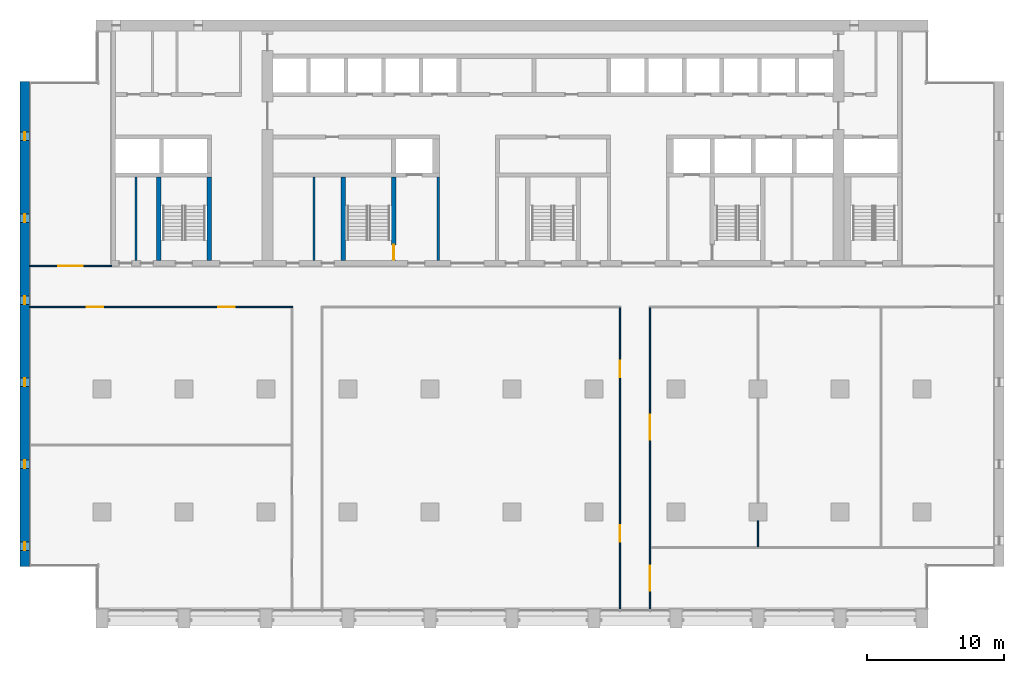
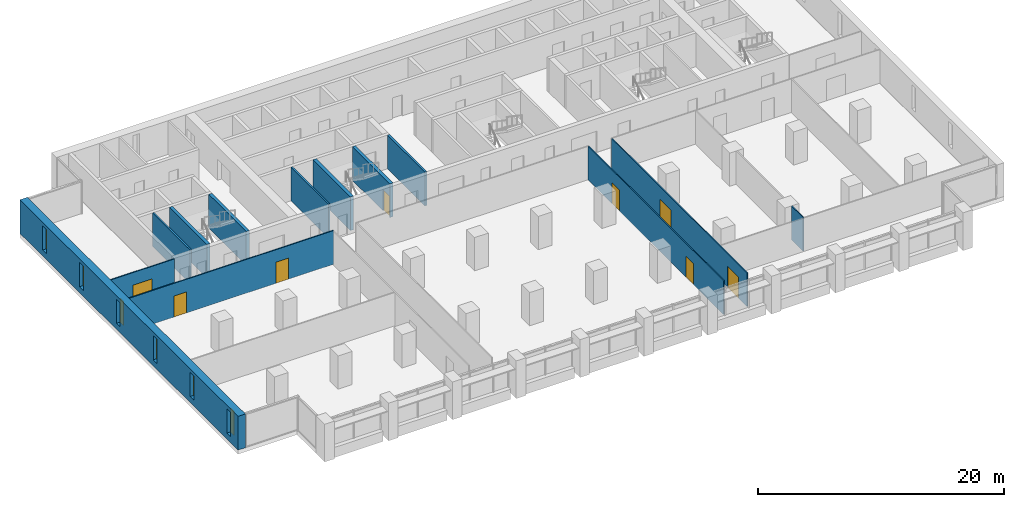
# One storey, part 8 of 15: 13 walls, 8 doors, 6 windows, 14 openings.
"""IFC4 building model written with IfcOpenShell, lengths in metres."""

from ifc_helpers import new_model, si_unit, direction, frame, frame_2d, origin, place, context, subcontext, project, spatial, rectangle, extrude, material, layer, layer_set, type_object, element, fill, save


model = new_model("IFC4")

# Units and contexts
model_context = context("Model", 3, precision=1e-05, world=origin(), true_north=direction((0.0, 1.0)))
body_context = subcontext(model_context, "Body", "Model", "MODEL_VIEW")
ifc_project = project(units=[si_unit("LENGTHUNIT", "METRE"), si_unit("AREAUNIT", "SQUARE_METRE"), si_unit("VOLUMEUNIT", "CUBIC_METRE"), si_unit("PLANEANGLEUNIT", "RADIAN"), si_unit("MASSUNIT", "GRAM", prefix="KILO")], contexts=[model_context])

# Site, building, storey
site_placement = place(None, origin())
site = spatial("IfcSite", under=ifc_project, at=site_placement, CompositionType="ELEMENT")
building_placement = place(site_placement, origin())
building = spatial("IfcBuilding", under=site, at=building_placement, Name="Calvaro Tower", CompositionType="ELEMENT")
storey_placement = place(building_placement, frame((0.0, 0.0, 132.5)))
storey = spatial("IfcBuildingStorey", under=building, at=storey_placement, Name="L33", CompositionType="ELEMENT", Elevation=132.5)

# Walls
ifc_material_1 = material(Name="Blockwork partition", Category="masonry")
ifc_layer_1 = layer(ifc_material_1, 0.14990234375)
ifc_layer_set_1 = layer_set([ifc_layer_1], Name="Blockwork partition")
wall_type_1 = type_object("IfcWallType", Name="Core partition 150 EI 60", PredefinedType="PARTITIONING", material=ifc_layer_set_1)
wall_1_placement = place(storey_placement, frame((8.5, 28.39990234375, 0.0), z_axis=(0.0, 0.0, 1.0), x_axis=(0.0, 1.0, 0.0)))
element("IfcWall", 1, at=wall_1_placement, inside=storey, type_object=wall_type_1, Name="Core partition", PredefinedType="PARTITIONING", context=body_context, shape_type="SweptSolid", body=[
    extrude(rectangle(XDim=6.10009765625, YDim=0.14990234375, at=frame_2d((3.050048828125, 0.0))), origin(), (0.0, 0.0, 1.0), 3.35009765625),
])
ifc_material_2 = material(Name="Blockwork partition", Category="masonry")
ifc_layer_2 = layer(ifc_material_2, 0.14990234375)
ifc_layer_set_2 = layer_set([ifc_layer_2], Name="Blockwork partition")
wall_type_2 = type_object("IfcWallType", Name="Core partition 150 REI 120", PredefinedType="PARTITIONING", material=ifc_layer_set_2)
wall_2_placement = place(storey_placement, frame((21.5, 28.39990234375, 0.0), z_axis=(0.0, 0.0, 1.0), x_axis=(0.0, 1.0, 0.0)))
element("IfcWall", 2, at=wall_2_placement, inside=storey, type_object=wall_type_2, Name="Core partition", PredefinedType="PARTITIONING", context=body_context, shape_type="SweptSolid", body=[
    extrude(rectangle(XDim=6.10009765625, YDim=0.14990234375, at=frame_2d((3.050048828125, 0.0))), origin(), (0.0, 0.0, 1.0), 3.35009765625),
])
ifc_material_3 = material(Name="Blockwork partition", Category="masonry")
ifc_layer_3 = layer(ifc_material_3, 0.199951171875)
ifc_layer_set_3 = layer_set([ifc_layer_3], Name="Blockwork partition")
wall_type_3 = type_object("IfcWallType", Name="Core partition 200 REI 120", PredefinedType="PARTITIONING", material=ifc_layer_set_3)
wall_3_placement = place(storey_placement, frame((30.60009765625, 28.39990234375, 0.0), z_axis=(0.0, 0.0, 1.0), x_axis=(0.0, 1.0, 0.0)))
element("IfcWall", 3, at=wall_3_placement, inside=storey, type_object=wall_type_3, Name="Core partition", PredefinedType="PARTITIONING", context=body_context, shape_type="SweptSolid", body=[
    extrude(rectangle(XDim=6.10009765625, YDim=0.199951171875, at=frame_2d((3.050048828125, 0.0))), origin(), (0.0, 0.0, 1.0), 3.35009765625),
])
ifc_material_4 = material(Name="Concrete C60/75", Category="concrete")
ifc_layer_4 = layer(ifc_material_4, 0.300048828125)
ifc_layer_set_4 = layer_set([ifc_layer_4], Name="Concrete C60/75")
wall_type_4 = type_object("IfcWallType", Name="Core wall C60/75 300", PredefinedType="SHEAR", material=ifc_layer_set_4)
for number, where, z_axis, x_axis, name in (
    (4, (10.14990234375, 28.39990234375, 0.0), (0.0, 0.0, 1.0), (0.0, 1.0, 0.0), "Core wall, stair enclosure"),
    (5, (13.85009765625, 28.39990234375, 0.0), (0.0, 0.0, 1.0), (0.0, 1.0, 0.0), "Core wall, stair enclosure"),
    (6, (23.64990234375, 28.39990234375, 0.0), (0.0, 0.0, 1.0), (0.0, 1.0, 0.0), "Core wall, stair enclosure"),
):
    element("IfcWall", number, at=place(storey_placement, frame(where, z_axis=z_axis, x_axis=x_axis)), inside=storey, type_object=wall_type_4, Name=name, PredefinedType="SHEAR", context=body_context, shape_type="SweptSolid", body=[
        extrude(rectangle(XDim=6.10009765625, YDim=0.300048828125, at=frame_2d((3.050048828125, 0.0))), origin(), (0.0, 0.0, 1.0), 3.35009765625),
    ])

# Wall, opening, door
wall_4_placement = place(storey_placement, frame((27.35009765625, 28.39990234375, 0.0), z_axis=(0.0, 0.0, 1.0), x_axis=(0.0, 1.0, 0.0)))
wall_4 = element("IfcWall", 7, at=wall_4_placement, inside=storey, type_object=wall_type_4, Name="Core wall, stair enclosure", PredefinedType="SHEAR", context=body_context, shape_type="SweptSolid", body=[
    extrude(rectangle(XDim=6.10009765625, YDim=0.300048828125, at=frame_2d((3.050048828125, 0.0))), origin(), (0.0, 0.0, 1.0), 3.35009765625),
])
opening_1_placement = place(wall_4_placement, frame((0.050048828125, 0.0, 0.0)))
opening_1 = element("IfcOpeningElement", 8, at=opening_1_placement, cuts=wall_4, Name="Opening FD11D", PredefinedType="OPENING", context=body_context, shape_type="SweptSolid", body=[
    extrude(rectangle(XDim=1.10009765625, YDim=2.10009765625, at=frame_2d((0.550048828125, 1.050048828125))), frame((0.0, 0.159912109375, 0.0), z_axis=(0.0, -1.0, 0.0), x_axis=(1.0, 0.0, 0.0)), (0.0, 0.0, 1.0), 0.320068359375),
])
ifc_material_5 = material(Name="Steel door set", Category="steel")
door_type_1 = type_object("IfcDoorType", Name="Fire door 1100 FD30S", OperationType="SINGLE_SWING_LEFT", PredefinedType="DOOR", material=ifc_material_5)
door_1_placement = place(opening_1_placement, origin())
door_1 = element("IfcDoor", 9, at=door_1_placement, inside=storey, type_object=door_type_1, Name="Fire door", OperationType="SINGLE_SWING_LEFT", OverallHeight=2.10009765625, OverallWidth=1.10009765625, PredefinedType="DOOR", context=body_context, shape_type="SweptSolid", body=[
    extrude(rectangle(XDim=1.10009765625, YDim=2.10009765625, at=frame_2d((0.550048828125, 1.050048828125))), frame((0.0, 0.02490234375, 0.0), z_axis=(0.0, -1.0, 0.0), x_axis=(1.0, 0.0, 0.0)), (0.0, 0.0, 1.0), 0.050048828125),
])
fill(opening_1, door_1)

# Wall, openings, windows
ifc_material_6 = material(Name="Concrete C60/75", Category="concrete")
ifc_layer_5 = layer(ifc_material_6, 0.699951171875)
ifc_layer_set_5 = layer_set([ifc_layer_5], Name="Concrete C60/75")
wall_type_5 = type_object("IfcWallType", Name="End wall 700 C60/75", PredefinedType="SHEAR", material=ifc_layer_set_5)
wall_5_placement = place(storey_placement, frame((0.35009765625, 6.0, 0.0), z_axis=(0.0, 0.0, 1.0), x_axis=(0.0, 1.0, 0.0)))
wall_5 = element("IfcWall", 10, at=wall_5_placement, inside=storey, type_object=wall_type_5, Name="End shear wall", PredefinedType="SHEAR", context=body_context, shape_type="SweptSolid", body=[
    extrude(rectangle(XDim=35.5, YDim=0.699951171875, at=frame_2d((17.75, 0.0))), origin(), (0.0, 0.0, 1.0), 3.35009765625),
])
opening_2_placement = place(wall_5_placement, frame((1.199951171875, 0.0, 0.60009765625)))
opening_2 = element("IfcOpeningElement", 11, at=opening_2_placement, cuts=wall_5, Name="Opening WW01", PredefinedType="OPENING", context=body_context, shape_type="SweptSolid", body=[
    extrude(rectangle(XDim=0.60009765625, YDim=2.39990234375, at=frame_2d((0.300048828125, 1.199951171875))), frame((0.0, 0.35986328125, 0.0), z_axis=(0.0, -1.0, 0.0), x_axis=(1.0, 0.0, 0.0)), (0.0, 0.0, 1.0), 0.719970703125),
])
opening_3_placement = place(wall_5_placement, frame((7.199951171875, 0.0, 0.60009765625)))
opening_3 = element("IfcOpeningElement", 12, at=opening_3_placement, cuts=wall_5, Name="Opening WW02", PredefinedType="OPENING", context=body_context, shape_type="SweptSolid", body=[
    extrude(rectangle(XDim=0.60009765625, YDim=2.39990234375, at=frame_2d((0.300048828125, 1.199951171875))), frame((0.0, 0.35986328125, 0.0), z_axis=(0.0, -1.0, 0.0), x_axis=(1.0, 0.0, 0.0)), (0.0, 0.0, 1.0), 0.719970703125),
])
opening_4_placement = place(wall_5_placement, frame((13.199951171875, 0.0, 0.60009765625)))
opening_4 = element("IfcOpeningElement", 13, at=opening_4_placement, cuts=wall_5, Name="Opening WW03", PredefinedType="OPENING", context=body_context, shape_type="SweptSolid", body=[
    extrude(rectangle(XDim=0.60009765625, YDim=2.39990234375, at=frame_2d((0.300048828125, 1.199951171875))), frame((0.0, 0.35986328125, 0.0), z_axis=(0.0, -1.0, 0.0), x_axis=(1.0, 0.0, 0.0)), (0.0, 0.0, 1.0), 0.719970703125),
])
opening_5_placement = place(wall_5_placement, frame((19.199951171875, 0.0, 0.60009765625)))
opening_5 = element("IfcOpeningElement", 14, at=opening_5_placement, cuts=wall_5, Name="Opening WW04", PredefinedType="OPENING", context=body_context, shape_type="SweptSolid", body=[
    extrude(rectangle(XDim=0.60009765625, YDim=2.39990234375, at=frame_2d((0.300048828125, 1.199951171875))), frame((0.0, 0.35986328125, 0.0), z_axis=(0.0, -1.0, 0.0), x_axis=(1.0, 0.0, 0.0)), (0.0, 0.0, 1.0), 0.719970703125),
])
opening_6_placement = place(wall_5_placement, frame((25.199951171875, 0.0, 0.60009765625)))
opening_6 = element("IfcOpeningElement", 15, at=opening_6_placement, cuts=wall_5, Name="Opening WW05", PredefinedType="OPENING", context=body_context, shape_type="SweptSolid", body=[
    extrude(rectangle(XDim=0.60009765625, YDim=2.39990234375, at=frame_2d((0.300048828125, 1.199951171875))), frame((0.0, 0.35986328125, 0.0), z_axis=(0.0, -1.0, 0.0), x_axis=(1.0, 0.0, 0.0)), (0.0, 0.0, 1.0), 0.719970703125),
])
opening_7_placement = place(wall_5_placement, frame((31.199951171875, 0.0, 0.60009765625)))
opening_7 = element("IfcOpeningElement", 16, at=opening_7_placement, cuts=wall_5, Name="Opening WW06", PredefinedType="OPENING", context=body_context, shape_type="SweptSolid", body=[
    extrude(rectangle(XDim=0.60009765625, YDim=2.39990234375, at=frame_2d((0.300048828125, 1.199951171875))), frame((0.0, 0.35986328125, 0.0), z_axis=(0.0, -1.0, 0.0), x_axis=(1.0, 0.0, 0.0)), (0.0, 0.0, 1.0), 0.719970703125),
])
ifc_material_7 = material(Name="Glass", Category="glass")
window_type = type_object("IfcWindowType", Name="Slit window 600 x 2400", PartitioningType="SINGLE_PANEL", PredefinedType="WINDOW", material=ifc_material_7)
window_1_placement = place(opening_2_placement, origin())
window_1 = element("IfcWindow", 17, at=window_1_placement, inside=storey, type_object=window_type, Name="Window WW01", OverallHeight=2.39990234375, OverallWidth=0.60009765625, PartitioningType="SINGLE_PANEL", PredefinedType="WINDOW", context=body_context, shape_type="SweptSolid", body=[
    extrude(rectangle(XDim=0.60009765625, YDim=2.39990234375, at=frame_2d((0.300048828125, 1.199951171875))), frame((0.0, 0.030029296875, 0.0), z_axis=(0.0, -1.0, 0.0), x_axis=(1.0, 0.0, 0.0)), (0.0, 0.0, 1.0), 0.06005859375),
])
fill(opening_2, window_1)
window_2_placement = place(opening_3_placement, origin())
window_2 = element("IfcWindow", 18, at=window_2_placement, inside=storey, type_object=window_type, Name="Window WW02", OverallHeight=2.39990234375, OverallWidth=0.60009765625, PartitioningType="SINGLE_PANEL", PredefinedType="WINDOW", context=body_context, shape_type="SweptSolid", body=[
    extrude(rectangle(XDim=0.60009765625, YDim=2.39990234375, at=frame_2d((0.300048828125, 1.199951171875))), frame((0.0, 0.030029296875, 0.0), z_axis=(0.0, -1.0, 0.0), x_axis=(1.0, 0.0, 0.0)), (0.0, 0.0, 1.0), 0.06005859375),
])
fill(opening_3, window_2)
window_3_placement = place(opening_4_placement, origin())
window_3 = element("IfcWindow", 19, at=window_3_placement, inside=storey, type_object=window_type, Name="Window WW03", OverallHeight=2.39990234375, OverallWidth=0.60009765625, PartitioningType="SINGLE_PANEL", PredefinedType="WINDOW", context=body_context, shape_type="SweptSolid", body=[
    extrude(rectangle(XDim=0.60009765625, YDim=2.39990234375, at=frame_2d((0.300048828125, 1.199951171875))), frame((0.0, 0.030029296875, 0.0), z_axis=(0.0, -1.0, 0.0), x_axis=(1.0, 0.0, 0.0)), (0.0, 0.0, 1.0), 0.06005859375),
])
fill(opening_4, window_3)
window_4_placement = place(opening_5_placement, origin())
window_4 = element("IfcWindow", 20, at=window_4_placement, inside=storey, type_object=window_type, Name="Window WW04", OverallHeight=2.39990234375, OverallWidth=0.60009765625, PartitioningType="SINGLE_PANEL", PredefinedType="WINDOW", context=body_context, shape_type="SweptSolid", body=[
    extrude(rectangle(XDim=0.60009765625, YDim=2.39990234375, at=frame_2d((0.300048828125, 1.199951171875))), frame((0.0, 0.030029296875, 0.0), z_axis=(0.0, -1.0, 0.0), x_axis=(1.0, 0.0, 0.0)), (0.0, 0.0, 1.0), 0.06005859375),
])
fill(opening_5, window_4)
window_5_placement = place(opening_6_placement, origin())
window_5 = element("IfcWindow", 21, at=window_5_placement, inside=storey, type_object=window_type, Name="Window WW05", OverallHeight=2.39990234375, OverallWidth=0.60009765625, PartitioningType="SINGLE_PANEL", PredefinedType="WINDOW", context=body_context, shape_type="SweptSolid", body=[
    extrude(rectangle(XDim=0.60009765625, YDim=2.39990234375, at=frame_2d((0.300048828125, 1.199951171875))), frame((0.0, 0.030029296875, 0.0), z_axis=(0.0, -1.0, 0.0), x_axis=(1.0, 0.0, 0.0)), (0.0, 0.0, 1.0), 0.06005859375),
])
fill(opening_6, window_5)
window_6_placement = place(opening_7_placement, origin())
window_6 = element("IfcWindow", 22, at=window_6_placement, inside=storey, type_object=window_type, Name="Window WW06", OverallHeight=2.39990234375, OverallWidth=0.60009765625, PartitioningType="SINGLE_PANEL", PredefinedType="WINDOW", context=body_context, shape_type="SweptSolid", body=[
    extrude(rectangle(XDim=0.60009765625, YDim=2.39990234375, at=frame_2d((0.300048828125, 1.199951171875))), frame((0.0, 0.030029296875, 0.0), z_axis=(0.0, -1.0, 0.0), x_axis=(1.0, 0.0, 0.0)), (0.0, 0.0, 1.0), 0.06005859375),
])
fill(opening_7, window_6)

# Wall, openings, doors
ifc_material_8 = material(Name="Plasterboard on steel studs", Category="steel")
ifc_layer_6 = layer(ifc_material_8, 0.10009765625)
ifc_layer_set_6 = layer_set([ifc_layer_6], Name="Plasterboard on steel studs")
wall_type_6 = type_object("IfcWallType", Name="Partition 100", PredefinedType="PARTITIONING", material=ifc_layer_set_6)
wall_6_placement = place(storey_placement, frame((0.699951171875, 25.0, 0.0), z_axis=(0.0, 0.0, 1.0), x_axis=(1.0, 0.0, 0.0)))
wall_6 = element("IfcWall", 23, at=wall_6_placement, inside=storey, type_object=wall_type_6, Name="Partition T20.W003", PredefinedType="PARTITIONING", context=body_context, shape_type="SweptSolid", body=[
    extrude(rectangle(XDim=19.25, YDim=0.10009765625, at=frame_2d((9.625, 0.0))), origin(), (0.0, 0.0, 1.0), 3.35009765625),
])
opening_8_placement = place(wall_6_placement, frame((4.199951171875, 0.0, 0.0)))
opening_8 = element("IfcOpeningElement", 24, at=opening_8_placement, cuts=wall_6, Name="Opening T20.010", PredefinedType="OPENING", context=body_context, shape_type="SweptSolid", body=[
    extrude(rectangle(XDim=1.199951171875, YDim=2.10009765625, at=frame_2d((0.60009765625, 1.050048828125))), frame((0.0, 0.06005859375, 0.0), z_axis=(0.0, -1.0, 0.0), x_axis=(1.0, 0.0, 0.0)), (0.0, 0.0, 1.0), 0.1201171875),
])
opening_9_placement = place(wall_6_placement, frame((13.800048828125, 0.0, 0.0)))
opening_9 = element("IfcOpeningElement", 25, at=opening_9_placement, cuts=wall_6, Name="Opening T20.011", PredefinedType="OPENING", context=body_context, shape_type="SweptSolid", body=[
    extrude(rectangle(XDim=1.199951171875, YDim=2.10009765625, at=frame_2d((0.60009765625, 1.050048828125))), frame((0.0, 0.06005859375, 0.0), z_axis=(0.0, -1.0, 0.0), x_axis=(1.0, 0.0, 0.0)), (0.0, 0.0, 1.0), 0.1201171875),
])
ifc_material_9 = material(Name="Timber", Category="wood")
door_type_2 = type_object("IfcDoorType", Name="Internal single door 1200 x 2100", OperationType="SINGLE_SWING_LEFT", PredefinedType="DOOR", material=ifc_material_9)
door_2_placement = place(opening_8_placement, origin())
door_2 = element("IfcDoor", 26, at=door_2_placement, inside=storey, type_object=door_type_2, Name="Door T20.010", OperationType="SINGLE_SWING_LEFT", OverallHeight=2.10009765625, OverallWidth=1.199951171875, PredefinedType="DOOR", context=body_context, shape_type="SweptSolid", body=[
    extrude(rectangle(XDim=1.199951171875, YDim=2.10009765625, at=frame_2d((0.60009765625, 1.050048828125))), frame((0.0, 0.02490234375, 0.0), z_axis=(0.0, -1.0, 0.0), x_axis=(1.0, 0.0, 0.0)), (0.0, 0.0, 1.0), 0.050048828125),
])
fill(opening_8, door_2)
door_3_placement = place(opening_9_placement, origin())
door_3 = element("IfcDoor", 27, at=door_3_placement, inside=storey, type_object=door_type_2, Name="Door T20.011", OperationType="SINGLE_SWING_RIGHT", OverallHeight=2.10009765625, OverallWidth=1.199951171875, PredefinedType="DOOR", context=body_context, shape_type="SweptSolid", body=[
    extrude(rectangle(XDim=1.199951171875, YDim=2.10009765625, at=frame_2d((0.60009765625, 1.050048828125))), frame((0.0, 0.02490234375, 0.0), z_axis=(0.0, -1.0, 0.0), x_axis=(1.0, 0.0, 0.0)), (0.0, 0.0, 1.0), 0.050048828125),
])
fill(opening_9, door_3)

# Wall, opening, door
wall_7_placement = place(storey_placement, frame((0.699951171875, 28.0, 0.0), z_axis=(0.0, 0.0, 1.0), x_axis=(1.0, 0.0, 0.0)))
wall_7 = element("IfcWall", 28, at=wall_7_placement, inside=storey, type_object=wall_type_6, Name="Partition T20.W006", PredefinedType="PARTITIONING", context=body_context, shape_type="SweptSolid", body=[
    extrude(rectangle(XDim=6.0, YDim=0.10009765625, at=frame_2d((3.0, 0.0))), origin(), (0.0, 0.0, 1.0), 3.35009765625),
])
opening_10_placement = place(wall_7_placement, frame((2.10009765625, 0.0, 0.0)))
opening_10 = element("IfcOpeningElement", 29, at=opening_10_placement, cuts=wall_7, Name="Opening T20.012", PredefinedType="OPENING", context=body_context, shape_type="SweptSolid", body=[
    extrude(rectangle(XDim=1.800048828125, YDim=2.10009765625, at=frame_2d((0.89990234375, 1.050048828125))), frame((0.0, 0.06005859375, 0.0), z_axis=(0.0, -1.0, 0.0), x_axis=(1.0, 0.0, 0.0)), (0.0, 0.0, 1.0), 0.1201171875),
])
ifc_material_10 = material(Name="Timber", Category="wood")
door_type_3 = type_object("IfcDoorType", Name="Internal double door 1800 x 2100", OperationType="DOUBLE_DOOR_SINGLE_SWING", PredefinedType="DOOR", material=ifc_material_10)
door_4_placement = place(opening_10_placement, origin())
door_4 = element("IfcDoor", 30, at=door_4_placement, inside=storey, type_object=door_type_3, Name="Door T20.012", OperationType="DOUBLE_DOOR_SINGLE_SWING", OverallHeight=2.10009765625, OverallWidth=1.800048828125, PredefinedType="DOOR", context=body_context, shape_type="SweptSolid", body=[
    extrude(rectangle(XDim=1.800048828125, YDim=2.10009765625, at=frame_2d((0.89990234375, 1.050048828125))), frame((0.0, 0.02490234375, 0.0), z_axis=(0.0, -1.0, 0.0), x_axis=(1.0, 0.0, 0.0)), (0.0, 0.0, 1.0), 0.050048828125),
])
fill(opening_10, door_4)

# Wall, openings, doors
wall_8_placement = place(storey_placement, frame((43.89990234375, 2.89990234375, 0.0), z_axis=(0.0, 0.0, 1.0), x_axis=(0.0, 1.0, 0.0)))
wall_8 = element("IfcWall", 31, at=wall_8_placement, inside=storey, type_object=wall_type_6, Name="Partition T20.W010", PredefinedType="PARTITIONING", context=body_context, shape_type="SweptSolid", body=[
    extrude(rectangle(XDim=22.050048828125, YDim=0.10009765625, at=frame_2d((11.02490234375, 0.0))), origin(), (0.0, 0.0, 1.0), 3.35009765625),
])
opening_11_placement = place(wall_8_placement, frame((4.925048828125, 0.0, 0.0)))
opening_11 = element("IfcOpeningElement", 32, at=opening_11_placement, cuts=wall_8, Name="Opening T20.004", PredefinedType="OPENING", context=body_context, shape_type="SweptSolid", body=[
    extrude(rectangle(XDim=1.199951171875, YDim=2.10009765625, at=frame_2d((0.60009765625, 1.050048828125))), frame((0.0, 0.06005859375, 0.0), z_axis=(0.0, -1.0, 0.0), x_axis=(1.0, 0.0, 0.0)), (0.0, 0.0, 1.0), 0.1201171875),
])
opening_12_placement = place(wall_8_placement, frame((16.97509765625, 0.0, 0.0)))
opening_12 = element("IfcOpeningElement", 33, at=opening_12_placement, cuts=wall_8, Name="Opening T20.005", PredefinedType="OPENING", context=body_context, shape_type="SweptSolid", body=[
    extrude(rectangle(XDim=1.199951171875, YDim=2.10009765625, at=frame_2d((0.60009765625, 1.050048828125))), frame((0.0, 0.06005859375, 0.0), z_axis=(0.0, -1.0, 0.0), x_axis=(1.0, 0.0, 0.0)), (0.0, 0.0, 1.0), 0.1201171875),
])
door_5_placement = place(opening_11_placement, origin())
door_5 = element("IfcDoor", 34, at=door_5_placement, inside=storey, type_object=door_type_2, Name="Door T20.004", OperationType="SINGLE_SWING_LEFT", OverallHeight=2.10009765625, OverallWidth=1.199951171875, PredefinedType="DOOR", context=body_context, shape_type="SweptSolid", body=[
    extrude(rectangle(XDim=1.199951171875, YDim=2.10009765625, at=frame_2d((0.60009765625, 1.050048828125))), frame((0.0, 0.02490234375, 0.0), z_axis=(0.0, -1.0, 0.0), x_axis=(1.0, 0.0, 0.0)), (0.0, 0.0, 1.0), 0.050048828125),
])
fill(opening_11, door_5)
door_6_placement = place(opening_12_placement, origin())
door_6 = element("IfcDoor", 35, at=door_6_placement, inside=storey, type_object=door_type_2, Name="Door T20.005", OperationType="SINGLE_SWING_RIGHT", OverallHeight=2.10009765625, OverallWidth=1.199951171875, PredefinedType="DOOR", context=body_context, shape_type="SweptSolid", body=[
    extrude(rectangle(XDim=1.199951171875, YDim=2.10009765625, at=frame_2d((0.60009765625, 1.050048828125))), frame((0.0, 0.02490234375, 0.0), z_axis=(0.0, -1.0, 0.0), x_axis=(1.0, 0.0, 0.0)), (0.0, 0.0, 1.0), 0.050048828125),
])
fill(opening_12, door_6)

wall_9_placement = place(storey_placement, frame((46.10009765625, 2.89990234375, 0.0), z_axis=(0.0, 0.0, 1.0), x_axis=(0.0, 1.0, 0.0)))
wall_9 = element("IfcWall", 36, at=wall_9_placement, inside=storey, type_object=wall_type_6, Name="Partition T20.W011", PredefinedType="PARTITIONING", context=body_context, shape_type="SweptSolid", body=[
    extrude(rectangle(XDim=22.050048828125, YDim=0.10009765625, at=frame_2d((11.02490234375, 0.0))), origin(), (0.0, 0.0, 1.0), 3.35009765625),
])
opening_13_placement = place(wall_9_placement, frame((1.35009765625, 0.0, 0.0)))
opening_13 = element("IfcOpeningElement", 37, at=opening_13_placement, cuts=wall_9, Name="Opening T20.001", PredefinedType="OPENING", context=body_context, shape_type="SweptSolid", body=[
    extrude(rectangle(XDim=1.800048828125, YDim=2.10009765625, at=frame_2d((0.89990234375, 1.050048828125))), frame((0.0, 0.06005859375, 0.0), z_axis=(0.0, -1.0, 0.0), x_axis=(1.0, 0.0, 0.0)), (0.0, 0.0, 1.0), 0.1201171875),
])
opening_14_placement = place(wall_9_placement, frame((12.39990234375, 0.0, 0.0)))
opening_14 = element("IfcOpeningElement", 38, at=opening_14_placement, cuts=wall_9, Name="Opening T20.006", PredefinedType="OPENING", context=body_context, shape_type="SweptSolid", body=[
    extrude(rectangle(XDim=1.800048828125, YDim=2.10009765625, at=frame_2d((0.89990234375, 1.050048828125))), frame((0.0, 0.06005859375, 0.0), z_axis=(0.0, -1.0, 0.0), x_axis=(1.0, 0.0, 0.0)), (0.0, 0.0, 1.0), 0.1201171875),
])
door_7_placement = place(opening_13_placement, origin())
door_7 = element("IfcDoor", 39, at=door_7_placement, inside=storey, type_object=door_type_3, Name="Door T20.001", OperationType="DOUBLE_DOOR_SINGLE_SWING", OverallHeight=2.10009765625, OverallWidth=1.800048828125, PredefinedType="DOOR", context=body_context, shape_type="SweptSolid", body=[
    extrude(rectangle(XDim=1.800048828125, YDim=2.10009765625, at=frame_2d((0.89990234375, 1.050048828125))), frame((0.0, 0.02490234375, 0.0), z_axis=(0.0, -1.0, 0.0), x_axis=(1.0, 0.0, 0.0)), (0.0, 0.0, 1.0), 0.050048828125),
])
fill(opening_13, door_7)
door_8_placement = place(opening_14_placement, origin())
door_8 = element("IfcDoor", 40, at=door_8_placement, inside=storey, type_object=door_type_3, Name="Door T20.006", OperationType="DOUBLE_DOOR_SINGLE_SWING", OverallHeight=2.10009765625, OverallWidth=1.800048828125, PredefinedType="DOOR", context=body_context, shape_type="SweptSolid", body=[
    extrude(rectangle(XDim=1.800048828125, YDim=2.10009765625, at=frame_2d((0.89990234375, 1.050048828125))), frame((0.0, 0.02490234375, 0.0), z_axis=(0.0, -1.0, 0.0), x_axis=(1.0, 0.0, 0.0)), (0.0, 0.0, 1.0), 0.050048828125),
])
fill(opening_14, door_8)

# Wall
wall_10_placement = place(storey_placement, frame((54.0, 7.449951171875, 0.0), z_axis=(0.0, 0.0, 1.0), x_axis=(0.0, 1.0, 0.0)))
element("IfcWall", 41, at=wall_10_placement, inside=storey, type_object=wall_type_6, Name="Partition T20.W012", PredefinedType="PARTITIONING", context=body_context, shape_type="SweptSolid", body=[
    extrude(rectangle(XDim=1.900146484375, YDim=0.10009765625, at=frame_2d((0.9501953125, 0.0))), origin(), (0.0, 0.0, 1.0), 3.35009765625),
])

save(model, "model.ifc")
